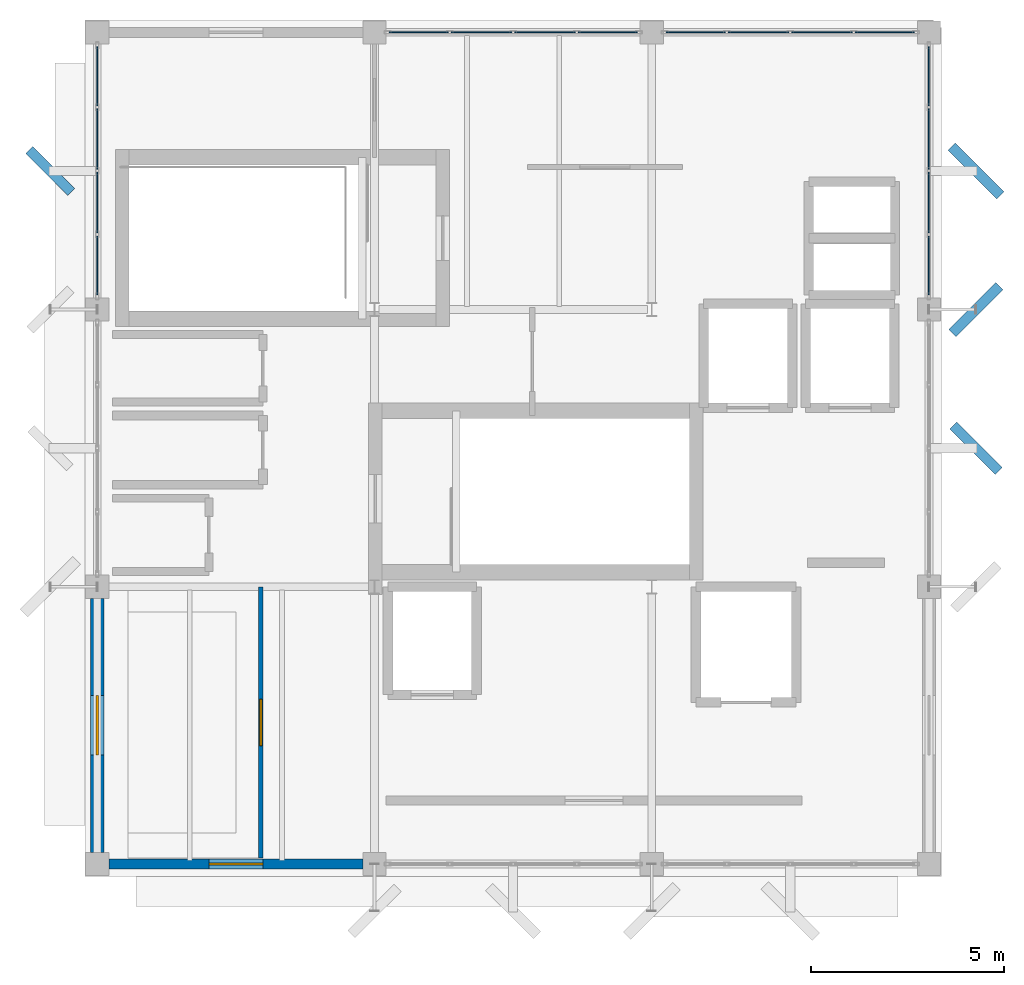
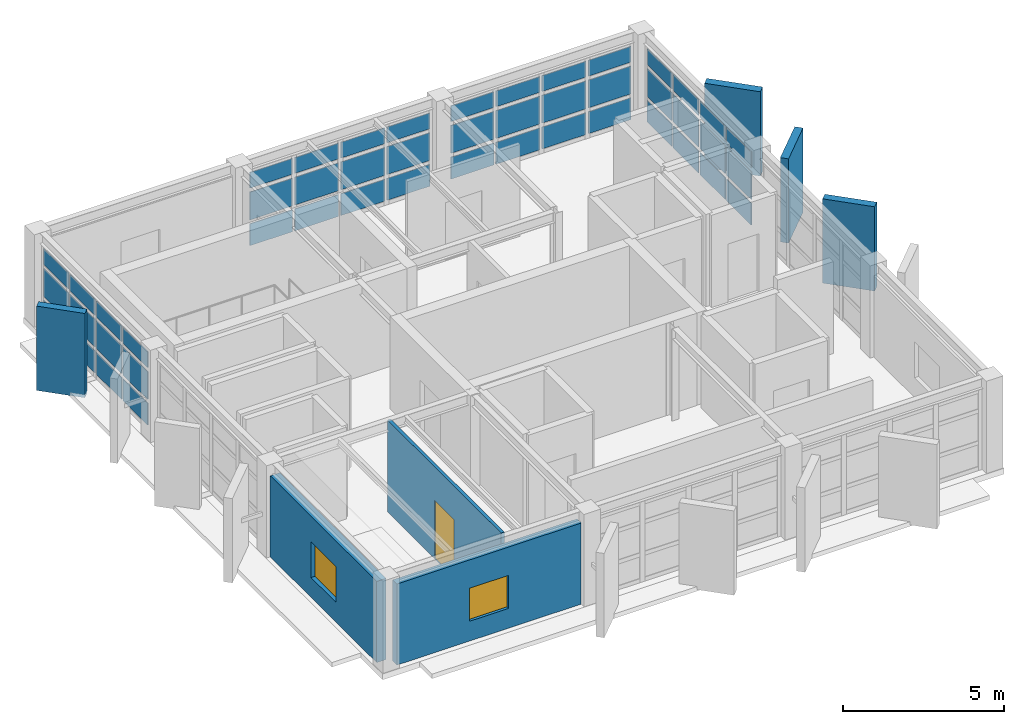
# One storey, part 8 of 13: 52 plates, 3 walls, 2 windows, 1 door, 3 openings, 4 elements without a shape of their own.
"""IFC4 building model written with IfcOpenShell, lengths in metres."""

import ifcopenshell
import ifcopenshell.guid

model = None  # the IFC model being written
_history = None  # IfcOwnerHistory: only IFC2X3 demands one
_inside = {}  # id of a spatial element -> (the spatial element, [elements in it])
_under = {}  # id of a project, library or spatial element -> (it, [spatial elements below it])
_declared = {}  # id of a project -> (the project, [libraries it declares])
_typed = {}  # id of a type object -> (the type object, [elements of that type])
_made_of = {}  # id of a material, layer set ... -> (it, [elements and type objects made of it])


def new_model(schema):
    """Start an empty IFC model of exactly this schema.

    Asked for "IFC4X3", IfcOpenShell would pick the latest addendum, in which some entities
    have other attributes; the version numbers below select the first issue.
    IFC2X3 requires an IfcOwnerHistory on every rooted entity: one is made here for all.
    """
    global model, _history
    if schema == "IFC4X3":
        model = ifcopenshell.file(schema_version=(4, 3, 0, 0))
    else:
        model = ifcopenshell.file(schema=schema)
    _inside.clear()
    _under.clear()
    _declared.clear()
    _typed.clear()
    _made_of.clear()
    _history = None
    if model.schema == "IFC2X3":
        org = make("IfcOrganization", Name="unknown")
        user = make(
            "IfcPersonAndOrganization",
            ThePerson=make("IfcPerson", FamilyName="unknown"),
            TheOrganization=org,
        )
        app = make(
            "IfcApplication",
            ApplicationDeveloper=org,
            Version="unknown",
            ApplicationFullName="unknown",
            ApplicationIdentifier="unknown",
        )
        _history = make(
            "IfcOwnerHistory",
            OwningUser=user,
            OwningApplication=app,
            ChangeAction="ADDED",
            CreationDate=0,
        )
    return model


def make(cls, **values):
    """One entity of the class cls with the attributes given. An attribute that is None is left unset."""
    return model.create_entity(
        cls, **{name: value for name, value in values.items() if value is not None}
    )


def rooted(cls, **values):
    """An entity with a GlobalId (a new one), such as an element, a storey or a relation."""
    return make(cls, GlobalId=ifcopenshell.guid.new(), OwnerHistory=_history, **values)


def si_unit(unit_type, name, prefix=None):
    """IfcSIUnit, for example si_unit("LENGTHUNIT", "METRE", prefix="MILLI")."""
    return make("IfcSIUnit", UnitType=unit_type, Prefix=prefix, Name=name)


def assignment(units):
    """IfcUnitAssignment: the units of a project."""
    return None if units is None else make("IfcUnitAssignment", Units=units)


def point(xyz):
    """IfcCartesianPoint."""
    return None if xyz is None else make("IfcCartesianPoint", Coordinates=xyz)


def direction(xyz):
    """IfcDirection."""
    return None if xyz is None else make("IfcDirection", DirectionRatios=xyz)


def frame(location, z_axis=None, x_axis=None):
    """IfcAxis2Placement3D, a coordinate frame: its origin and axes. An axis left out is left unset."""
    return make(
        "IfcAxis2Placement3D",
        Location=point(location),
        Axis=direction(z_axis),
        RefDirection=direction(x_axis),
    )


def frame_2d(location, x_axis=None):
    """IfcAxis2Placement2D, a coordinate frame in the plane: its origin and x axis."""
    return make(
        "IfcAxis2Placement2D", Location=point(location), RefDirection=direction(x_axis)
    )


def origin():
    """The frame at (0, 0, 0) with its axes left unset."""
    return frame((0.0, 0.0, 0.0))


def origin_2d():
    """The frame at (0, 0) in the plane with its x axis left unset."""
    return frame_2d((0.0, 0.0))


def place(relative_to, where):
    """IfcLocalPlacement: puts the frame where relative to a parent placement (None: the world)."""
    return make(
        "IfcLocalPlacement", PlacementRelTo=relative_to, RelativePlacement=where
    )


def context(
    kind, dimensions, precision=None, world=None, true_north=None, identifier=None
):
    """IfcGeometricRepresentationContext, for example the 3D "Model" context."""
    return make(
        "IfcGeometricRepresentationContext",
        ContextIdentifier=identifier,
        ContextType=kind,
        CoordinateSpaceDimension=dimensions,
        Precision=precision,
        WorldCoordinateSystem=world,
        TrueNorth=true_north,
    )


def subcontext(parent, identifier, kind, view, scale=None):
    """IfcGeometricRepresentationSubContext, for example "Body" below "Model"."""
    return make(
        "IfcGeometricRepresentationSubContext",
        ContextIdentifier=identifier,
        ContextType=kind,
        ParentContext=parent,
        TargetScale=scale,
        TargetView=view,
    )


def project(units=None, contexts=None):
    """IfcProject with its units and contexts."""
    return rooted(
        "IfcProject",
        Name="project",
        RepresentationContexts=contexts,
        UnitsInContext=assignment(units),
    )


def spatial(cls, under=None, at=None, **own):
    """A site, building, storey or space (cls), placed at a placement, below another one or the project."""
    s = rooted(cls, ObjectPlacement=at, **own)
    if under is not None:
        _under.setdefault(under.id(), (under, []))[1].append(s)
    return s


def profile(cls, at=None, kind="AREA", **sizes):
    """A parametric profile (cls). Its sizes go by their IFC names, for example OverallWidth=200.0."""
    return make(cls, ProfileType=kind, Position=at, **sizes)


def rectangle(**sizes):
    """IfcRectangleProfileDef."""
    return profile("IfcRectangleProfileDef", **sizes)


def extrude(swept, where, along, depth):
    """IfcExtrudedAreaSolid: the profile swept, set in the frame where, extruded along a direction by depth."""
    return make(
        "IfcExtrudedAreaSolid",
        SweptArea=swept,
        Position=where,
        ExtrudedDirection=direction(along),
        Depth=depth,
    )


def shape(context_of_items, identifier, shape_type, items):
    """IfcShapeRepresentation: the items that make up one representation, for example the "Body"."""
    return make(
        "IfcShapeRepresentation",
        ContextOfItems=context_of_items,
        RepresentationIdentifier=identifier,
        RepresentationType=shape_type,
        Items=items,
    )


def material(Name=None, Category=None):
    """IfcMaterial."""
    return make("IfcMaterial", Name=Name, Category=Category)


def layer(
    of_material, thickness, ventilated=None, Name=None, Category=None, Priority=None
):
    """IfcMaterialLayer: one layer of a wall or slab, of a material (None: an air gap)."""
    return make(
        "IfcMaterialLayer",
        Material=of_material,
        LayerThickness=thickness,
        IsVentilated=ventilated,
        Name=Name,
        Category=Category,
        Priority=Priority,
    )


def layer_set(layers, Name=None):
    """IfcMaterialLayerSet."""
    return make("IfcMaterialLayerSet", MaterialLayers=layers, LayerSetName=Name)


def made_of(thing, what):
    """Note that an element or type object is made of a material, layer set ...; save() writes the relation."""
    if what is not None:
        _made_of.setdefault(what.id(), (what, []))[1].append(thing)
    return thing


def type_object(cls, material=None, **own):
    """A type object (cls), such as IfcWallType, which elements share."""
    return made_of(rooted(cls, **own), material)


def element(
    cls,
    number,
    at=None,
    inside=None,
    cuts=None,
    type_object=None,
    material=None,
    context=None,
    identifier="Body",
    shape_type=None,
    held_by="IfcProductDefinitionShape",
    body=None,
    shapes=None,
    **own,
):
    """One element of the class cls, such as IfcWall. Its Tag is "e" and its number.

    at: its placement. inside: the storey or other place that contains it. cuts: it is an
    opening in that element (IfcRelVoidsElement). A single representation is given by context,
    identifier, shape_type and body (its items); several are given by shapes. held_by: the class
    of the entity that holds the representations. save() writes the other relations.
    """
    e = rooted(cls, Tag="e%d" % number, ObjectPlacement=at, **own)
    if body is not None:
        shapes = [shape(context, identifier, shape_type, body)]
    if shapes is not None:
        e.Representation = make(held_by, Representations=shapes)
    if inside is not None:
        _inside.setdefault(inside.id(), (inside, []))[1].append(e)
    if cuts is not None:
        rooted(
            "IfcRelVoidsElement", RelatingBuildingElement=cuts, RelatedOpeningElement=e
        )
    if type_object is not None:
        _typed.setdefault(type_object.id(), (type_object, []))[1].append(e)
    return made_of(e, material)


def fill(opening, filler):
    """IfcRelFillsElement: the door or window that sits in an opening."""
    return rooted(
        "IfcRelFillsElement",
        RelatingOpeningElement=opening,
        RelatedBuildingElement=filler,
    )


def aggregate(whole, parts):
    """IfcRelAggregates: a whole, such as a stair, and the parts it consists of."""
    return rooted("IfcRelAggregates", RelatingObject=whole, RelatedObjects=parts)


def save(model, path):
    """Write the relations noted so far, then the file.

    IfcRelAggregates (storeys below a building ...), IfcRelContainedInSpatialStructure (elements
    in a storey), IfcRelDefinesByType, IfcRelAssociatesMaterial and IfcRelDeclares: one each for
    every whole, place, type object, material and project.
    """
    for whole, parts in _under.values():
        aggregate(whole, parts)
    for where, things in _inside.values():
        rooted(
            "IfcRelContainedInSpatialStructure",
            RelatedElements=things,
            RelatingStructure=where,
        )
    for kind, things in _typed.values():
        rooted("IfcRelDefinesByType", RelatedObjects=things, RelatingType=kind)
    for what, things in _made_of.values():
        rooted("IfcRelAssociatesMaterial", RelatedObjects=things, RelatingMaterial=what)
    for by, libraries in _declared.values():
        rooted("IfcRelDeclares", RelatingContext=by, RelatedDefinitions=libraries)
    model.write(path)


model = new_model("IFC4")

# Units and contexts
model_context = context("Model", 3, precision=1e-05, world=origin(), true_north=direction((0.0, 1.0)))
body_context = subcontext(model_context, "Body", "Model", "MODEL_VIEW")
ifc_project = project(units=[si_unit("LENGTHUNIT", "METRE"), si_unit("AREAUNIT", "SQUARE_METRE"), si_unit("VOLUMEUNIT", "CUBIC_METRE"), si_unit("PLANEANGLEUNIT", "RADIAN"), si_unit("MASSUNIT", "GRAM", prefix="KILO")], contexts=[model_context])

# Site, building, storey
site_placement = place(None, origin())
site = spatial("IfcSite", under=ifc_project, at=site_placement, CompositionType="ELEMENT")
building_placement = place(site_placement, origin())
building = spatial("IfcBuilding", under=site, at=building_placement, Name="Kandorven Conservatory and Botanical Research Centre", CompositionType="ELEMENT")
storey_placement = place(building_placement, frame((0.0, 0.0, 63.14990234375)))
storey = spatial("IfcBuildingStorey", under=building, at=storey_placement, Name="L16", CompositionType="ELEMENT", Elevation=63.14990234375)

# Curtain wall, plates
ifc_material_1 = material(Name="Bronze anodised thermally broken aluminium", Category="aluminium")
ifc_layer_1 = layer(ifc_material_1, 0.179931640625)
ifc_layer_set_1 = layer_set([ifc_layer_1], Name="Bronze anodised thermally broken aluminium")
curtain_wall_type = type_object("IfcCurtainWallType", Name="CW_Unitised", PredefinedType="USERDEFINED", material=ifc_layer_set_1)
curtain_wall_1_placement = place(storey_placement, origin())
curtain_wall_1 = element("IfcCurtainWall", 1, at=curtain_wall_1_placement, inside=storey, type_object=curtain_wall_type, Name="Tower laboratory curtain wall CW-TWR-N-L16-2", ObjectType="UNITISED GLAZING", PredefinedType="USERDEFINED")
ifc_material_2 = material(Name="Double-glazed solar-control low-E glass", Category="glass")
ifc_layer_2 = layer(ifc_material_2, 0.028076171875)
ifc_layer_set_2 = layer_set([ifc_layer_2], Name="Double-glazed solar-control low-E glass")
plate_type_1 = type_object("IfcPlateType", Name="CW_Panel", PredefinedType="CURTAIN_PANEL", material=ifc_layer_set_2)
plate_1_placement = place(storey_placement, frame((14.344970703125, 27.60009765625, 0.14990234375), z_axis=(0.0, 0.0, 1.0), x_axis=(1.0, 0.0, 0.0)))
plate_1 = element("IfcPlate", 2, at=plate_1_placement, type_object=plate_type_1, Name="CW-01 panel 1.1", PredefinedType="CURTAIN_PANEL", context=body_context, shape_type="SweptSolid", body=[
    extrude(rectangle(XDim=1.530029296875, YDim=0.028076171875, at=origin_2d()), origin(), (0.0, 0.0, 1.0), 0.824951171875),
])
plate_2_placement = place(storey_placement, frame((14.344970703125, 27.60009765625, 1.125), z_axis=(0.0, 0.0, 1.0), x_axis=(1.0, 0.0, 0.0)))
plate_2 = element("IfcPlate", 3, at=plate_2_placement, type_object=plate_type_1, Name="CW-01 panel 1.2", PredefinedType="CURTAIN_PANEL", context=body_context, shape_type="SweptSolid", body=[
    extrude(rectangle(XDim=1.530029296875, YDim=0.028076171875, at=origin_2d()), origin(), (0.0, 0.0, 1.0), 1.050048828125),
])
plate_3_placement = place(storey_placement, frame((14.344970703125, 27.60009765625, 2.3251953125), z_axis=(0.0, 0.0, 1.0), x_axis=(1.0, 0.0, 0.0)))
plate_3 = element("IfcPlate", 4, at=plate_3_placement, type_object=plate_type_1, Name="CW-01 panel 1.3", PredefinedType="CURTAIN_PANEL", context=body_context, shape_type="SweptSolid", body=[
    extrude(rectangle(XDim=1.530029296875, YDim=0.028076171875, at=origin_2d()), origin(), (0.0, 0.0, 1.0), 0.594970703125),
])
plate_4_placement = place(storey_placement, frame((15.97509765625, 27.60009765625, 0.14990234375), z_axis=(0.0, 0.0, 1.0), x_axis=(1.0, 0.0, 0.0)))
plate_4 = element("IfcPlate", 5, at=plate_4_placement, type_object=plate_type_1, Name="CW-01 panel 2.1", PredefinedType="CURTAIN_PANEL", context=body_context, shape_type="SweptSolid", body=[
    extrude(rectangle(XDim=1.570068359375, YDim=0.028076171875, at=origin_2d()), origin(), (0.0, 0.0, 1.0), 0.824951171875),
])
plate_5_placement = place(storey_placement, frame((15.97509765625, 27.60009765625, 1.125), z_axis=(0.0, 0.0, 1.0), x_axis=(1.0, 0.0, 0.0)))
plate_5 = element("IfcPlate", 6, at=plate_5_placement, type_object=plate_type_1, Name="CW-01 panel 2.2", PredefinedType="CURTAIN_PANEL", context=body_context, shape_type="SweptSolid", body=[
    extrude(rectangle(XDim=1.570068359375, YDim=0.028076171875, at=origin_2d()), origin(), (0.0, 0.0, 1.0), 1.050048828125),
])
plate_6_placement = place(storey_placement, frame((15.97509765625, 27.60009765625, 2.3251953125), z_axis=(0.0, 0.0, 1.0), x_axis=(1.0, 0.0, 0.0)))
plate_6 = element("IfcPlate", 7, at=plate_6_placement, type_object=plate_type_1, Name="CW-01 panel 2.3", PredefinedType="CURTAIN_PANEL", context=body_context, shape_type="SweptSolid", body=[
    extrude(rectangle(XDim=1.570068359375, YDim=0.028076171875, at=origin_2d()), origin(), (0.0, 0.0, 1.0), 0.594970703125),
])
plate_7_placement = place(storey_placement, frame((17.625, 27.60009765625, 0.14990234375), z_axis=(0.0, 0.0, 1.0), x_axis=(1.0, 0.0, 0.0)))
plate_7 = element("IfcPlate", 8, at=plate_7_placement, type_object=plate_type_1, Name="CW-01 panel 3.1", PredefinedType="CURTAIN_PANEL", context=body_context, shape_type="SweptSolid", body=[
    extrude(rectangle(XDim=1.570068359375, YDim=0.028076171875, at=origin_2d()), origin(), (0.0, 0.0, 1.0), 0.824951171875),
])
plate_8_placement = place(storey_placement, frame((17.625, 27.60009765625, 1.125), z_axis=(0.0, 0.0, 1.0), x_axis=(1.0, 0.0, 0.0)))
plate_8 = element("IfcPlate", 9, at=plate_8_placement, type_object=plate_type_1, Name="CW-01 panel 3.2", PredefinedType="CURTAIN_PANEL", context=body_context, shape_type="SweptSolid", body=[
    extrude(rectangle(XDim=1.570068359375, YDim=0.028076171875, at=origin_2d()), origin(), (0.0, 0.0, 1.0), 1.050048828125),
])
plate_9_placement = place(storey_placement, frame((17.625, 27.60009765625, 2.3251953125), z_axis=(0.0, 0.0, 1.0), x_axis=(1.0, 0.0, 0.0)))
plate_9 = element("IfcPlate", 10, at=plate_9_placement, type_object=plate_type_1, Name="CW-01 panel 3.3", PredefinedType="CURTAIN_PANEL", context=body_context, shape_type="SweptSolid", body=[
    extrude(rectangle(XDim=1.570068359375, YDim=0.028076171875, at=origin_2d()), origin(), (0.0, 0.0, 1.0), 0.594970703125),
])
plate_10_placement = place(storey_placement, frame((19.2548828125, 27.60009765625, 0.14990234375), z_axis=(0.0, 0.0, 1.0), x_axis=(1.0, 0.0, 0.0)))
plate_10 = element("IfcPlate", 11, at=plate_10_placement, type_object=plate_type_1, Name="CW-01 panel 4.1", PredefinedType="CURTAIN_PANEL", context=body_context, shape_type="SweptSolid", body=[
    extrude(rectangle(XDim=1.530029296875, YDim=0.028076171875, at=origin_2d()), origin(), (0.0, 0.0, 1.0), 0.824951171875),
])
plate_11_placement = place(storey_placement, frame((19.2548828125, 27.60009765625, 1.125), z_axis=(0.0, 0.0, 1.0), x_axis=(1.0, 0.0, 0.0)))
plate_11 = element("IfcPlate", 12, at=plate_11_placement, type_object=plate_type_1, Name="CW-01 panel 4.2", PredefinedType="CURTAIN_PANEL", context=body_context, shape_type="SweptSolid", body=[
    extrude(rectangle(XDim=1.530029296875, YDim=0.028076171875, at=origin_2d()), origin(), (0.0, 0.0, 1.0), 1.050048828125),
])
plate_12_placement = place(storey_placement, frame((19.2548828125, 27.60009765625, 2.3251953125), z_axis=(0.0, 0.0, 1.0), x_axis=(1.0, 0.0, 0.0)))
plate_12 = element("IfcPlate", 13, at=plate_12_placement, type_object=plate_type_1, Name="CW-01 panel 4.3", PredefinedType="CURTAIN_PANEL", context=body_context, shape_type="SweptSolid", body=[
    extrude(rectangle(XDim=1.530029296875, YDim=0.028076171875, at=origin_2d()), origin(), (0.0, 0.0, 1.0), 0.594970703125),
])
aggregate(curtain_wall_1, [plate_1, plate_2, plate_3, plate_4, plate_5, plate_6, plate_7, plate_8, plate_9, plate_10, plate_11, plate_12])

curtain_wall_2_placement = place(storey_placement, origin())
curtain_wall_2 = element("IfcCurtainWall", 14, at=curtain_wall_2_placement, inside=storey, type_object=curtain_wall_type, Name="Tower laboratory curtain wall CW-TWR-N-L16-3", ObjectType="UNITISED GLAZING", PredefinedType="USERDEFINED")
plate_13_placement = place(storey_placement, frame((21.544921875, 27.60009765625, 0.14990234375), z_axis=(0.0, 0.0, 1.0), x_axis=(1.0, 0.0, 0.0)))
plate_13 = element("IfcPlate", 15, at=plate_13_placement, type_object=plate_type_1, Name="CW-01 panel 1.1", PredefinedType="CURTAIN_PANEL", context=body_context, shape_type="SweptSolid", body=[
    extrude(rectangle(XDim=1.530029296875, YDim=0.028076171875, at=origin_2d()), origin(), (0.0, 0.0, 1.0), 0.824951171875),
])
plate_14_placement = place(storey_placement, frame((21.544921875, 27.60009765625, 1.125), z_axis=(0.0, 0.0, 1.0), x_axis=(1.0, 0.0, 0.0)))
plate_14 = element("IfcPlate", 16, at=plate_14_placement, type_object=plate_type_1, Name="CW-01 panel 1.2", PredefinedType="CURTAIN_PANEL", context=body_context, shape_type="SweptSolid", body=[
    extrude(rectangle(XDim=1.530029296875, YDim=0.028076171875, at=origin_2d()), origin(), (0.0, 0.0, 1.0), 1.050048828125),
])
plate_15_placement = place(storey_placement, frame((21.544921875, 27.60009765625, 2.3251953125), z_axis=(0.0, 0.0, 1.0), x_axis=(1.0, 0.0, 0.0)))
plate_15 = element("IfcPlate", 17, at=plate_15_placement, type_object=plate_type_1, Name="CW-01 panel 1.3", PredefinedType="CURTAIN_PANEL", context=body_context, shape_type="SweptSolid", body=[
    extrude(rectangle(XDim=1.530029296875, YDim=0.028076171875, at=origin_2d()), origin(), (0.0, 0.0, 1.0), 0.594970703125),
])
plate_16_placement = place(storey_placement, frame((23.175048828125, 27.60009765625, 0.14990234375), z_axis=(0.0, 0.0, 1.0), x_axis=(1.0, 0.0, 0.0)))
plate_16 = element("IfcPlate", 18, at=plate_16_placement, type_object=plate_type_1, Name="CW-01 panel 2.1", PredefinedType="CURTAIN_PANEL", context=body_context, shape_type="SweptSolid", body=[
    extrude(rectangle(XDim=1.570068359375, YDim=0.028076171875, at=origin_2d()), origin(), (0.0, 0.0, 1.0), 0.824951171875),
])
plate_17_placement = place(storey_placement, frame((23.175048828125, 27.60009765625, 1.125), z_axis=(0.0, 0.0, 1.0), x_axis=(1.0, 0.0, 0.0)))
plate_17 = element("IfcPlate", 19, at=plate_17_placement, type_object=plate_type_1, Name="CW-01 panel 2.2", PredefinedType="CURTAIN_PANEL", context=body_context, shape_type="SweptSolid", body=[
    extrude(rectangle(XDim=1.570068359375, YDim=0.028076171875, at=origin_2d()), origin(), (0.0, 0.0, 1.0), 1.050048828125),
])
plate_18_placement = place(storey_placement, frame((23.175048828125, 27.60009765625, 2.3251953125), z_axis=(0.0, 0.0, 1.0), x_axis=(1.0, 0.0, 0.0)))
plate_18 = element("IfcPlate", 20, at=plate_18_placement, type_object=plate_type_1, Name="CW-01 panel 2.3", PredefinedType="CURTAIN_PANEL", context=body_context, shape_type="SweptSolid", body=[
    extrude(rectangle(XDim=1.570068359375, YDim=0.028076171875, at=origin_2d()), origin(), (0.0, 0.0, 1.0), 0.594970703125),
])
plate_19_placement = place(storey_placement, frame((24.824951171875, 27.60009765625, 0.14990234375), z_axis=(0.0, 0.0, 1.0), x_axis=(1.0, 0.0, 0.0)))
plate_19 = element("IfcPlate", 21, at=plate_19_placement, type_object=plate_type_1, Name="CW-01 panel 3.1", PredefinedType="CURTAIN_PANEL", context=body_context, shape_type="SweptSolid", body=[
    extrude(rectangle(XDim=1.570068359375, YDim=0.028076171875, at=origin_2d()), origin(), (0.0, 0.0, 1.0), 0.824951171875),
])
plate_20_placement = place(storey_placement, frame((24.824951171875, 27.60009765625, 1.125), z_axis=(0.0, 0.0, 1.0), x_axis=(1.0, 0.0, 0.0)))
plate_20 = element("IfcPlate", 22, at=plate_20_placement, type_object=plate_type_1, Name="CW-01 panel 3.2", PredefinedType="CURTAIN_PANEL", context=body_context, shape_type="SweptSolid", body=[
    extrude(rectangle(XDim=1.570068359375, YDim=0.028076171875, at=origin_2d()), origin(), (0.0, 0.0, 1.0), 1.050048828125),
])
plate_21_placement = place(storey_placement, frame((24.824951171875, 27.60009765625, 2.3251953125), z_axis=(0.0, 0.0, 1.0), x_axis=(1.0, 0.0, 0.0)))
plate_21 = element("IfcPlate", 23, at=plate_21_placement, type_object=plate_type_1, Name="CW-01 panel 3.3", PredefinedType="CURTAIN_PANEL", context=body_context, shape_type="SweptSolid", body=[
    extrude(rectangle(XDim=1.570068359375, YDim=0.028076171875, at=origin_2d()), origin(), (0.0, 0.0, 1.0), 0.594970703125),
])
plate_22_placement = place(storey_placement, frame((26.455078125, 27.60009765625, 0.14990234375), z_axis=(0.0, 0.0, 1.0), x_axis=(1.0, 0.0, 0.0)))
plate_22 = element("IfcPlate", 24, at=plate_22_placement, type_object=plate_type_1, Name="CW-01 panel 4.1", PredefinedType="CURTAIN_PANEL", context=body_context, shape_type="SweptSolid", body=[
    extrude(rectangle(XDim=1.530029296875, YDim=0.028076171875, at=origin_2d()), origin(), (0.0, 0.0, 1.0), 0.824951171875),
])
plate_23_placement = place(storey_placement, frame((26.455078125, 27.60009765625, 1.125), z_axis=(0.0, 0.0, 1.0), x_axis=(1.0, 0.0, 0.0)))
plate_23 = element("IfcPlate", 25, at=plate_23_placement, type_object=plate_type_1, Name="CW-01 panel 4.2", PredefinedType="CURTAIN_PANEL", context=body_context, shape_type="SweptSolid", body=[
    extrude(rectangle(XDim=1.530029296875, YDim=0.028076171875, at=origin_2d()), origin(), (0.0, 0.0, 1.0), 1.050048828125),
])
plate_24_placement = place(storey_placement, frame((26.455078125, 27.60009765625, 2.3251953125), z_axis=(0.0, 0.0, 1.0), x_axis=(1.0, 0.0, 0.0)))
plate_24 = element("IfcPlate", 26, at=plate_24_placement, type_object=plate_type_1, Name="CW-01 panel 4.3", PredefinedType="CURTAIN_PANEL", context=body_context, shape_type="SweptSolid", body=[
    extrude(rectangle(XDim=1.530029296875, YDim=0.028076171875, at=origin_2d()), origin(), (0.0, 0.0, 1.0), 0.594970703125),
])
aggregate(curtain_wall_2, [plate_13, plate_14, plate_15, plate_16, plate_17, plate_18, plate_19, plate_20, plate_21, plate_22, plate_23, plate_24])

curtain_wall_3_placement = place(storey_placement, origin())
curtain_wall_3 = element("IfcCurtainWall", 27, at=curtain_wall_3_placement, inside=storey, type_object=curtain_wall_type, Name="Tower laboratory curtain wall CW-TWR-W-L16-3", ObjectType="UNITISED GLAZING", PredefinedType="USERDEFINED")
plate_25_placement = place(storey_placement, frame((6.0, 21.544921875, 0.14990234375), z_axis=(0.0, 0.0, 1.0), x_axis=(0.0, 1.0, 0.0)))
plate_25 = element("IfcPlate", 28, at=plate_25_placement, type_object=plate_type_1, Name="CW-01 panel 1.1", PredefinedType="CURTAIN_PANEL", context=body_context, shape_type="SweptSolid", body=[
    extrude(rectangle(XDim=1.530029296875, YDim=0.028076171875, at=origin_2d()), origin(), (0.0, 0.0, 1.0), 0.824951171875),
])
plate_26_placement = place(storey_placement, frame((6.0, 21.544921875, 1.125), z_axis=(0.0, 0.0, 1.0), x_axis=(0.0, 1.0, 0.0)))
plate_26 = element("IfcPlate", 29, at=plate_26_placement, type_object=plate_type_1, Name="CW-01 panel 1.2", PredefinedType="CURTAIN_PANEL", context=body_context, shape_type="SweptSolid", body=[
    extrude(rectangle(XDim=1.530029296875, YDim=0.028076171875, at=origin_2d()), origin(), (0.0, 0.0, 1.0), 1.050048828125),
])
plate_27_placement = place(storey_placement, frame((6.0, 21.544921875, 2.3251953125), z_axis=(0.0, 0.0, 1.0), x_axis=(0.0, 1.0, 0.0)))
plate_27 = element("IfcPlate", 30, at=plate_27_placement, type_object=plate_type_1, Name="CW-01 panel 1.3", PredefinedType="CURTAIN_PANEL", context=body_context, shape_type="SweptSolid", body=[
    extrude(rectangle(XDim=1.530029296875, YDim=0.028076171875, at=origin_2d()), origin(), (0.0, 0.0, 1.0), 0.594970703125),
])
plate_28_placement = place(storey_placement, frame((6.0, 23.175048828125, 0.14990234375), z_axis=(0.0, 0.0, 1.0), x_axis=(0.0, 1.0, 0.0)))
plate_28 = element("IfcPlate", 31, at=plate_28_placement, type_object=plate_type_1, Name="CW-01 panel 2.1", PredefinedType="CURTAIN_PANEL", context=body_context, shape_type="SweptSolid", body=[
    extrude(rectangle(XDim=1.570068359375, YDim=0.028076171875, at=origin_2d()), origin(), (0.0, 0.0, 1.0), 0.824951171875),
])
plate_29_placement = place(storey_placement, frame((6.0, 23.175048828125, 1.125), z_axis=(0.0, 0.0, 1.0), x_axis=(0.0, 1.0, 0.0)))
plate_29 = element("IfcPlate", 32, at=plate_29_placement, type_object=plate_type_1, Name="CW-01 panel 2.2", PredefinedType="CURTAIN_PANEL", context=body_context, shape_type="SweptSolid", body=[
    extrude(rectangle(XDim=1.570068359375, YDim=0.028076171875, at=origin_2d()), origin(), (0.0, 0.0, 1.0), 1.050048828125),
])
plate_30_placement = place(storey_placement, frame((6.0, 23.175048828125, 2.3251953125), z_axis=(0.0, 0.0, 1.0), x_axis=(0.0, 1.0, 0.0)))
plate_30 = element("IfcPlate", 33, at=plate_30_placement, type_object=plate_type_1, Name="CW-01 panel 2.3", PredefinedType="CURTAIN_PANEL", context=body_context, shape_type="SweptSolid", body=[
    extrude(rectangle(XDim=1.570068359375, YDim=0.028076171875, at=origin_2d()), origin(), (0.0, 0.0, 1.0), 0.594970703125),
])
plate_31_placement = place(storey_placement, frame((6.0, 24.824951171875, 0.14990234375), z_axis=(0.0, 0.0, 1.0), x_axis=(0.0, 1.0, 0.0)))
plate_31 = element("IfcPlate", 34, at=plate_31_placement, type_object=plate_type_1, Name="CW-01 panel 3.1", PredefinedType="CURTAIN_PANEL", context=body_context, shape_type="SweptSolid", body=[
    extrude(rectangle(XDim=1.570068359375, YDim=0.028076171875, at=origin_2d()), origin(), (0.0, 0.0, 1.0), 0.824951171875),
])
plate_32_placement = place(storey_placement, frame((6.0, 24.824951171875, 1.125), z_axis=(0.0, 0.0, 1.0), x_axis=(0.0, 1.0, 0.0)))
plate_32 = element("IfcPlate", 35, at=plate_32_placement, type_object=plate_type_1, Name="CW-01 panel 3.2", PredefinedType="CURTAIN_PANEL", context=body_context, shape_type="SweptSolid", body=[
    extrude(rectangle(XDim=1.570068359375, YDim=0.028076171875, at=origin_2d()), origin(), (0.0, 0.0, 1.0), 1.050048828125),
])
plate_33_placement = place(storey_placement, frame((6.0, 24.824951171875, 2.3251953125), z_axis=(0.0, 0.0, 1.0), x_axis=(0.0, 1.0, 0.0)))
plate_33 = element("IfcPlate", 36, at=plate_33_placement, type_object=plate_type_1, Name="CW-01 panel 3.3", PredefinedType="CURTAIN_PANEL", context=body_context, shape_type="SweptSolid", body=[
    extrude(rectangle(XDim=1.570068359375, YDim=0.028076171875, at=origin_2d()), origin(), (0.0, 0.0, 1.0), 0.594970703125),
])
plate_34_placement = place(storey_placement, frame((6.0, 26.455078125, 0.14990234375), z_axis=(0.0, 0.0, 1.0), x_axis=(0.0, 1.0, 0.0)))
plate_34 = element("IfcPlate", 37, at=plate_34_placement, type_object=plate_type_1, Name="CW-01 panel 4.1", PredefinedType="CURTAIN_PANEL", context=body_context, shape_type="SweptSolid", body=[
    extrude(rectangle(XDim=1.530029296875, YDim=0.028076171875, at=origin_2d()), origin(), (0.0, 0.0, 1.0), 0.824951171875),
])
plate_35_placement = place(storey_placement, frame((6.0, 26.455078125, 1.125), z_axis=(0.0, 0.0, 1.0), x_axis=(0.0, 1.0, 0.0)))
plate_35 = element("IfcPlate", 38, at=plate_35_placement, type_object=plate_type_1, Name="CW-01 panel 4.2", PredefinedType="CURTAIN_PANEL", context=body_context, shape_type="SweptSolid", body=[
    extrude(rectangle(XDim=1.530029296875, YDim=0.028076171875, at=origin_2d()), origin(), (0.0, 0.0, 1.0), 1.050048828125),
])
plate_36_placement = place(storey_placement, frame((6.0, 26.455078125, 2.3251953125), z_axis=(0.0, 0.0, 1.0), x_axis=(0.0, 1.0, 0.0)))
plate_36 = element("IfcPlate", 39, at=plate_36_placement, type_object=plate_type_1, Name="CW-01 panel 4.3", PredefinedType="CURTAIN_PANEL", context=body_context, shape_type="SweptSolid", body=[
    extrude(rectangle(XDim=1.530029296875, YDim=0.028076171875, at=origin_2d()), origin(), (0.0, 0.0, 1.0), 0.594970703125),
])
aggregate(curtain_wall_3, [plate_25, plate_26, plate_27, plate_28, plate_29, plate_30, plate_31, plate_32, plate_33, plate_34, plate_35, plate_36])

curtain_wall_4_placement = place(storey_placement, origin())
curtain_wall_4 = element("IfcCurtainWall", 40, at=curtain_wall_4_placement, inside=storey, type_object=curtain_wall_type, Name="Tower laboratory curtain wall CW-TWR-E-L16-3", ObjectType="UNITISED GLAZING", PredefinedType="USERDEFINED")
plate_37_placement = place(storey_placement, frame((27.60009765625, 21.544921875, 0.14990234375), z_axis=(0.0, 0.0, 1.0), x_axis=(0.0, 1.0, 0.0)))
plate_37 = element("IfcPlate", 41, at=plate_37_placement, type_object=plate_type_1, Name="CW-01 panel 1.1", PredefinedType="CURTAIN_PANEL", context=body_context, shape_type="SweptSolid", body=[
    extrude(rectangle(XDim=1.530029296875, YDim=0.028076171875, at=origin_2d()), origin(), (0.0, 0.0, 1.0), 0.824951171875),
])
plate_38_placement = place(storey_placement, frame((27.60009765625, 21.544921875, 1.125), z_axis=(0.0, 0.0, 1.0), x_axis=(0.0, 1.0, 0.0)))
plate_38 = element("IfcPlate", 42, at=plate_38_placement, type_object=plate_type_1, Name="CW-01 panel 1.2", PredefinedType="CURTAIN_PANEL", context=body_context, shape_type="SweptSolid", body=[
    extrude(rectangle(XDim=1.530029296875, YDim=0.028076171875, at=origin_2d()), origin(), (0.0, 0.0, 1.0), 1.050048828125),
])
plate_39_placement = place(storey_placement, frame((27.60009765625, 21.544921875, 2.3251953125), z_axis=(0.0, 0.0, 1.0), x_axis=(0.0, 1.0, 0.0)))
plate_39 = element("IfcPlate", 43, at=plate_39_placement, type_object=plate_type_1, Name="CW-01 panel 1.3", PredefinedType="CURTAIN_PANEL", context=body_context, shape_type="SweptSolid", body=[
    extrude(rectangle(XDim=1.530029296875, YDim=0.028076171875, at=origin_2d()), origin(), (0.0, 0.0, 1.0), 0.594970703125),
])
plate_40_placement = place(storey_placement, frame((27.60009765625, 23.175048828125, 0.14990234375), z_axis=(0.0, 0.0, 1.0), x_axis=(0.0, 1.0, 0.0)))
plate_40 = element("IfcPlate", 44, at=plate_40_placement, type_object=plate_type_1, Name="CW-01 panel 2.1", PredefinedType="CURTAIN_PANEL", context=body_context, shape_type="SweptSolid", body=[
    extrude(rectangle(XDim=1.570068359375, YDim=0.028076171875, at=origin_2d()), origin(), (0.0, 0.0, 1.0), 0.824951171875),
])
plate_41_placement = place(storey_placement, frame((27.60009765625, 23.175048828125, 1.125), z_axis=(0.0, 0.0, 1.0), x_axis=(0.0, 1.0, 0.0)))
plate_41 = element("IfcPlate", 45, at=plate_41_placement, type_object=plate_type_1, Name="CW-01 panel 2.2", PredefinedType="CURTAIN_PANEL", context=body_context, shape_type="SweptSolid", body=[
    extrude(rectangle(XDim=1.570068359375, YDim=0.028076171875, at=origin_2d()), origin(), (0.0, 0.0, 1.0), 1.050048828125),
])
plate_42_placement = place(storey_placement, frame((27.60009765625, 23.175048828125, 2.3251953125), z_axis=(0.0, 0.0, 1.0), x_axis=(0.0, 1.0, 0.0)))
plate_42 = element("IfcPlate", 46, at=plate_42_placement, type_object=plate_type_1, Name="CW-01 panel 2.3", PredefinedType="CURTAIN_PANEL", context=body_context, shape_type="SweptSolid", body=[
    extrude(rectangle(XDim=1.570068359375, YDim=0.028076171875, at=origin_2d()), origin(), (0.0, 0.0, 1.0), 0.594970703125),
])
plate_43_placement = place(storey_placement, frame((27.60009765625, 24.824951171875, 0.14990234375), z_axis=(0.0, 0.0, 1.0), x_axis=(0.0, 1.0, 0.0)))
plate_43 = element("IfcPlate", 47, at=plate_43_placement, type_object=plate_type_1, Name="CW-01 panel 3.1", PredefinedType="CURTAIN_PANEL", context=body_context, shape_type="SweptSolid", body=[
    extrude(rectangle(XDim=1.570068359375, YDim=0.028076171875, at=origin_2d()), origin(), (0.0, 0.0, 1.0), 0.824951171875),
])
plate_44_placement = place(storey_placement, frame((27.60009765625, 24.824951171875, 1.125), z_axis=(0.0, 0.0, 1.0), x_axis=(0.0, 1.0, 0.0)))
plate_44 = element("IfcPlate", 48, at=plate_44_placement, type_object=plate_type_1, Name="CW-01 panel 3.2", PredefinedType="CURTAIN_PANEL", context=body_context, shape_type="SweptSolid", body=[
    extrude(rectangle(XDim=1.570068359375, YDim=0.028076171875, at=origin_2d()), origin(), (0.0, 0.0, 1.0), 1.050048828125),
])
plate_45_placement = place(storey_placement, frame((27.60009765625, 24.824951171875, 2.3251953125), z_axis=(0.0, 0.0, 1.0), x_axis=(0.0, 1.0, 0.0)))
plate_45 = element("IfcPlate", 49, at=plate_45_placement, type_object=plate_type_1, Name="CW-01 panel 3.3", PredefinedType="CURTAIN_PANEL", context=body_context, shape_type="SweptSolid", body=[
    extrude(rectangle(XDim=1.570068359375, YDim=0.028076171875, at=origin_2d()), origin(), (0.0, 0.0, 1.0), 0.594970703125),
])
plate_46_placement = place(storey_placement, frame((27.60009765625, 26.455078125, 0.14990234375), z_axis=(0.0, 0.0, 1.0), x_axis=(0.0, 1.0, 0.0)))
plate_46 = element("IfcPlate", 50, at=plate_46_placement, type_object=plate_type_1, Name="CW-01 panel 4.1", PredefinedType="CURTAIN_PANEL", context=body_context, shape_type="SweptSolid", body=[
    extrude(rectangle(XDim=1.530029296875, YDim=0.028076171875, at=origin_2d()), origin(), (0.0, 0.0, 1.0), 0.824951171875),
])
plate_47_placement = place(storey_placement, frame((27.60009765625, 26.455078125, 1.125), z_axis=(0.0, 0.0, 1.0), x_axis=(0.0, 1.0, 0.0)))
plate_47 = element("IfcPlate", 51, at=plate_47_placement, type_object=plate_type_1, Name="CW-01 panel 4.2", PredefinedType="CURTAIN_PANEL", context=body_context, shape_type="SweptSolid", body=[
    extrude(rectangle(XDim=1.530029296875, YDim=0.028076171875, at=origin_2d()), origin(), (0.0, 0.0, 1.0), 1.050048828125),
])
plate_48_placement = place(storey_placement, frame((27.60009765625, 26.455078125, 2.3251953125), z_axis=(0.0, 0.0, 1.0), x_axis=(0.0, 1.0, 0.0)))
plate_48 = element("IfcPlate", 52, at=plate_48_placement, type_object=plate_type_1, Name="CW-01 panel 4.3", PredefinedType="CURTAIN_PANEL", context=body_context, shape_type="SweptSolid", body=[
    extrude(rectangle(XDim=1.530029296875, YDim=0.028076171875, at=origin_2d()), origin(), (0.0, 0.0, 1.0), 0.594970703125),
])
aggregate(curtain_wall_4, [plate_37, plate_38, plate_39, plate_40, plate_41, plate_42, plate_43, plate_44, plate_45, plate_46, plate_47, plate_48])

# Plates
ifc_material_3 = material(Name="Precast concrete C40/50 (M50)", Category="concrete")
ifc_layer_3 = layer(ifc_material_3, 0.251953125)
ifc_layer_set_3 = layer_set([ifc_layer_3], Name="Precast concrete C40/50 (M50)")
plate_type_2 = type_object("IfcPlateType", Name="Fin_BF-13", PredefinedType="USERDEFINED", material=ifc_layer_set_3)
plate_49_placement = place(storey_placement, frame((4.780029296875, 24.0, -0.119873046875), z_axis=(0.0, 0.0, 1.0), x_axis=(-0.707106781187, 0.707106781187, 0.0)))
element("IfcPlate", 53, at=plate_49_placement, inside=storey, type_object=plate_type_2, Name="Sculpted board-marked concrete brise-soleil fin BF-13", ObjectType="SOLAR FIN", PredefinedType="USERDEFINED", context=body_context, shape_type="SweptSolid", body=[
    extrude(rectangle(XDim=1.550048828125, YDim=0.251953125, at=origin_2d()), origin(), (0.0, 0.0, 1.0), 3.18994140625),
])
ifc_material_4 = material(Name="Precast concrete C40/50 (M50)", Category="concrete")
ifc_layer_4 = layer(ifc_material_4, 0.261962890625)
ifc_layer_set_4 = layer_set([ifc_layer_4], Name="Precast concrete C40/50 (M50)")
plate_type_3 = type_object("IfcPlateType", Name="Fin_BF-15", PredefinedType="USERDEFINED", material=ifc_layer_set_4)
plate_50_placement = place(storey_placement, frame((28.820068359375, 16.800048828125, -0.119873046875), z_axis=(0.0, 0.0, 1.0), x_axis=(-0.707106781187, 0.707106781187, 0.0)))
element("IfcPlate", 54, at=plate_50_placement, inside=storey, type_object=plate_type_3, Name="Sculpted board-marked concrete brise-soleil fin BF-15", ObjectType="SOLAR FIN", PredefinedType="USERDEFINED", context=body_context, shape_type="SweptSolid", body=[
    extrude(rectangle(XDim=1.669921875, YDim=0.261962890625, at=origin_2d()), origin(), (0.0, 0.0, 1.0), 3.18994140625),
])
ifc_material_5 = material(Name="Precast concrete C40/50 (M50)", Category="concrete")
ifc_layer_5 = layer(ifc_material_5, 0.26611328125)
ifc_layer_set_5 = layer_set([ifc_layer_5], Name="Precast concrete C40/50 (M50)")
plate_type_4 = type_object("IfcPlateType", Name="Fin_BF-16", PredefinedType="USERDEFINED", material=ifc_layer_set_5)
plate_51_placement = place(storey_placement, frame((28.820068359375, 20.39990234375, -0.119873046875), z_axis=(0.0, 0.0, 1.0), x_axis=(0.707106781187, 0.707106781187, 0.0)))
element("IfcPlate", 55, at=plate_51_placement, inside=storey, type_object=plate_type_4, Name="Sculpted board-marked concrete brise-soleil fin BF-16", ObjectType="SOLAR FIN", PredefinedType="USERDEFINED", context=body_context, shape_type="SweptSolid", body=[
    extrude(rectangle(XDim=1.72998046875, YDim=0.26611328125, at=origin_2d()), origin(), (0.0, 0.0, 1.0), 3.18994140625),
])
ifc_material_6 = material(Name="Precast concrete C40/50 (M50)", Category="concrete")
ifc_layer_6 = layer(ifc_material_6, 0.27197265625)
ifc_layer_set_6 = layer_set([ifc_layer_6], Name="Precast concrete C40/50 (M50)")
plate_type_5 = type_object("IfcPlateType", Name="Fin_BF-17", PredefinedType="USERDEFINED", material=ifc_layer_set_6)
plate_52_placement = place(storey_placement, frame((28.820068359375, 24.0, -0.119873046875), z_axis=(0.0, 0.0, 1.0), x_axis=(-0.707106781187, 0.707106781187, 0.0)))
element("IfcPlate", 56, at=plate_52_placement, inside=storey, type_object=plate_type_5, Name="Sculpted board-marked concrete brise-soleil fin BF-17", ObjectType="SOLAR FIN", PredefinedType="USERDEFINED", context=body_context, shape_type="SweptSolid", body=[
    extrude(rectangle(XDim=1.7900390625, YDim=0.27197265625, at=origin_2d()), origin(), (0.0, 0.0, 1.0), 3.18994140625),
])

# Wall, opening, window
ifc_material_7 = material(Name="Concrete C32/40 (M40)", Category="concrete")
ifc_layer_7 = layer(ifc_material_7, 0.340087890625)
ifc_layer_set_7 = layer_set([ifc_layer_7], Name="Concrete C32/40 (M40)")
wall_type_1 = type_object("IfcWallType", Name="Wall_EW-02", PredefinedType="STANDARD", material=ifc_layer_set_7)
wall_1_placement = place(storey_placement, frame((6.0, 6.300048828125, 0.0), z_axis=(0.0, 0.0, 1.0), x_axis=(0.0, 1.0, 0.0)))
wall_1 = element("IfcWall", 57, at=wall_1_placement, inside=storey, type_object=wall_type_1, Name="Tower concrete facade wall EW-02 W L16", PredefinedType="STANDARD", context=body_context, shape_type="SweptSolid", body=[
    extrude(rectangle(XDim=6.599853515625, YDim=0.340087890625, at=frame_2d((3.2998046875, 0.0))), origin(), (0.0, 0.0, 1.0), 3.070068359375),
])
opening_1_placement = place(wall_1_placement, frame((2.52490234375, 0.0, 0.75)))
opening_1 = element("IfcOpeningElement", 58, at=opening_1_placement, cuts=wall_1, Name="Opening W-33", PredefinedType="OPENING", context=body_context, shape_type="SweptSolid", body=[
    extrude(rectangle(XDim=1.550048828125, YDim=1.35009765625, at=frame_2d((0.77490234375, 0.675048828125))), frame((0.0, 0.179931640625, 0.0), z_axis=(0.0, -1.0, 0.0), x_axis=(1.0, 0.0, 0.0)), (0.0, 0.0, 1.0), 0.360107421875),
])
ifc_material_8 = material(Name="Double-glazed solar-control low-E glass", Category="glass")
window_type_1 = type_object("IfcWindowType", Name="Win_W-33", PartitioningType="DOUBLE_PANEL_VERTICAL", PredefinedType="WINDOW", material=ifc_material_8)
window_1_placement = place(opening_1_placement, origin())
window_1 = element("IfcWindow", 59, at=window_1_placement, inside=storey, type_object=window_type_1, Name="Tower recessed solar window W-33", OverallHeight=1.35009765625, OverallWidth=1.550048828125, PartitioningType="SINGLE_PANEL", PredefinedType="WINDOW", context=body_context, shape_type="SweptSolid", body=[
    extrude(rectangle(XDim=1.550048828125, YDim=1.35009765625, at=frame_2d((0.77490234375, 0.675048828125))), frame((0.0, 0.030029296875, 0.0), z_axis=(0.0, -1.0, 0.0), x_axis=(1.0, 0.0, 0.0)), (0.0, 0.0, 1.0), 0.06005859375),
])
fill(opening_1, window_1)

ifc_material_9 = material(Name="Concrete C32/40 (M40)", Category="concrete")
ifc_layer_8 = layer(ifc_material_9, 0.260009765625)
ifc_layer_set_8 = layer_set([ifc_layer_8], Name="Concrete C32/40 (M40)")
wall_type_2 = type_object("IfcWallType", Name="Wall_EW-06", PredefinedType="STANDARD", material=ifc_layer_set_8)
wall_2_placement = place(storey_placement, frame((6.300048828125, 6.0, 0.0), z_axis=(0.0, 0.0, 1.0), x_axis=(1.0, 0.0, 0.0)))
wall_2 = element("IfcWall", 60, at=wall_2_placement, inside=storey, type_object=wall_type_2, Name="Tower concrete facade wall EW-06 S L16", PredefinedType="STANDARD", context=body_context, shape_type="SweptSolid", body=[
    extrude(rectangle(XDim=6.599853515625, YDim=0.260009765625, at=frame_2d((3.2998046875, 0.0))), origin(), (0.0, 0.0, 1.0), 3.070068359375),
])
opening_2_placement = place(wall_2_placement, frame((2.60009765625, 0.0, 0.75)))
opening_2 = element("IfcOpeningElement", 61, at=opening_2_placement, cuts=wall_2, Name="Opening W-46", PredefinedType="OPENING", context=body_context, shape_type="SweptSolid", body=[
    extrude(rectangle(XDim=1.39990234375, YDim=1.25, at=frame_2d((0.699951171875, 0.625))), frame((0.0, 0.139892578125, 0.0), z_axis=(0.0, -1.0, 0.0), x_axis=(1.0, 0.0, 0.0)), (0.0, 0.0, 1.0), 0.280029296875),
])
ifc_material_10 = material(Name="Double-glazed solar-control low-E glass", Category="glass")
window_type_2 = type_object("IfcWindowType", Name="Win_W-46", PartitioningType="DOUBLE_PANEL_VERTICAL", PredefinedType="WINDOW", material=ifc_material_10)
window_2_placement = place(opening_2_placement, origin())
window_2 = element("IfcWindow", 62, at=window_2_placement, inside=storey, type_object=window_type_2, Name="Tower recessed solar window W-46", OverallHeight=1.25, OverallWidth=1.39990234375, PartitioningType="SINGLE_PANEL", PredefinedType="WINDOW", context=body_context, shape_type="SweptSolid", body=[
    extrude(rectangle(XDim=1.39990234375, YDim=1.25, at=frame_2d((0.699951171875, 0.625))), frame((0.0, 0.030029296875, 0.0), z_axis=(0.0, -1.0, 0.0), x_axis=(1.0, 0.0, 0.0)), (0.0, 0.0, 1.0), 0.06005859375),
])
fill(opening_2, window_2)

# Wall, opening, door
ifc_material_11 = material(Name="Fire-rated acoustic gypsum board partition", Category="gypsum")
ifc_layer_9 = layer(ifc_material_11, 0.114013671875)
ifc_layer_set_9 = layer_set([ifc_layer_9], Name="Fire-rated acoustic gypsum board partition")
wall_type_3 = type_object("IfcWallType", Name="Wall_IW-12", PredefinedType="PARTITIONING", material=ifc_layer_set_9)
wall_3_placement = place(storey_placement, frame((10.25, 6.14990234375, 0.0), z_axis=(0.0, 0.0, 1.0), x_axis=(0.0, 1.0, 0.0)))
wall_3 = element("IfcWall", 63, at=wall_3_placement, inside=storey, type_object=wall_type_3, Name="Interior partition wall IW-12 (Park Canopy Botanical Observatory Gallery L16)", PredefinedType="PARTITIONING", context=body_context, shape_type="SweptSolid", body=[
    extrude(rectangle(XDim=7.050048828125, YDim=0.114013671875, at=frame_2d((3.52490234375, 0.0))), origin(), (0.0, 0.0, 1.0), 3.47021484375),
])
opening_3_placement = place(wall_3_placement, frame((2.925048828125, 0.0, 0.0)))
opening_3 = element("IfcOpeningElement", 64, at=opening_3_placement, cuts=wall_3, Name="Opening D-05", PredefinedType="OPENING", context=body_context, shape_type="SweptSolid", body=[
    extrude(rectangle(XDim=1.199951171875, YDim=2.199951171875, at=frame_2d((0.60009765625, 1.10009765625))), frame((0.0, 0.06689453125, 0.0), z_axis=(0.0, -1.0, 0.0), x_axis=(1.0, 0.0, 0.0)), (0.0, 0.0, 1.0), 0.134033203125),
])
ifc_material_12 = material(Name="Solid core acoustic teak-veneered timber leaf", Category="wood")
door_type = type_object("IfcDoorType", Name="Door_D-05", OperationType="NOTDEFINED", PredefinedType="DOOR", material=ifc_material_12)
door_placement = place(opening_3_placement, frame((1.199951171875, 0.0, 0.0), z_axis=(0.0, 0.0, 1.0), x_axis=(-1.0, 0.0, 0.0)))
door = element("IfcDoor", 65, at=door_placement, inside=storey, type_object=door_type, Name="Interior door D-05 to Park Canopy Botanical Observatory Gallery L16", OperationType="SINGLE_SWING_LEFT", OverallHeight=2.199951171875, OverallWidth=1.199951171875, PredefinedType="DOOR", context=body_context, shape_type="SweptSolid", body=[
    extrude(rectangle(XDim=1.199951171875, YDim=2.199951171875, at=frame_2d((0.60009765625, 1.10009765625))), frame((0.0, 0.02490234375, 0.0), z_axis=(0.0, -1.0, 0.0), x_axis=(1.0, 0.0, 0.0)), (0.0, 0.0, 1.0), 0.050048828125),
])
fill(opening_3, door)

save(model, "model.ifc")
